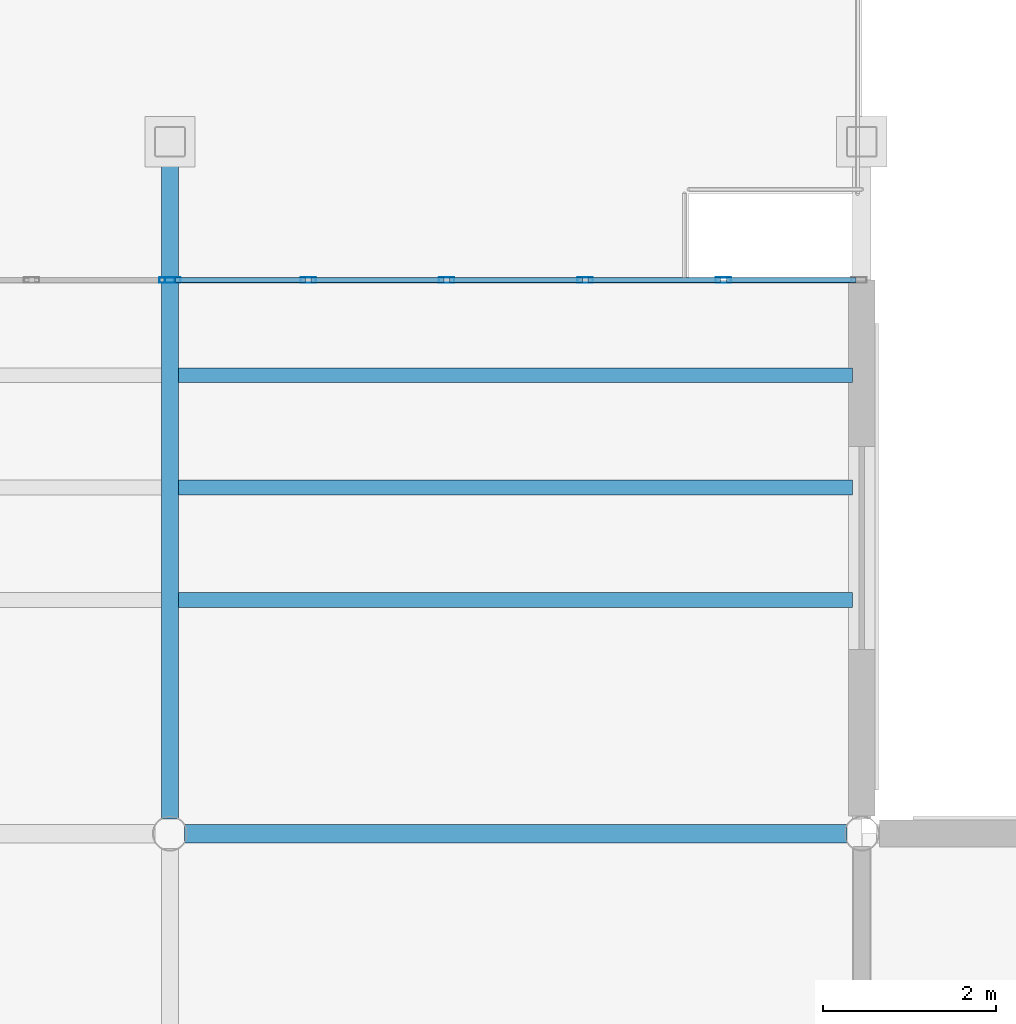
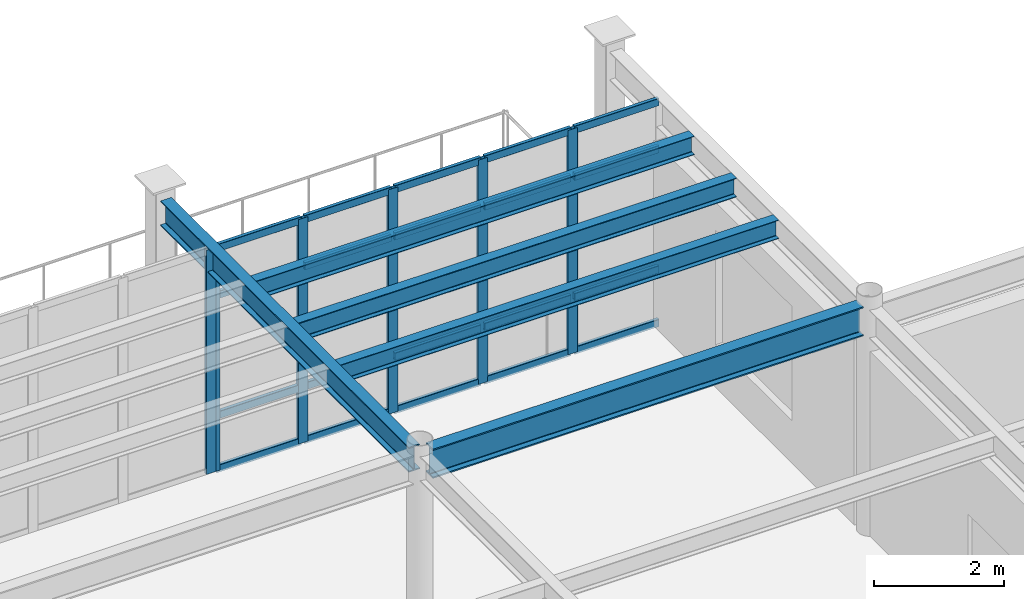
# One storey, part 33 of 111: 26 members, 5 beams, 2 elements without a shape of their own.
"""IFC4 building model written with IfcOpenShell, lengths in metres."""

from ifc_helpers import new_model, si_unit, direction, frame, origin, origin_2d, place, context, subcontext, project, spatial, hollow_rectangle, i_section, extrude, material, material_profile, profile_set, type_object, element, aggregate, save


model = new_model("IFC4")

# Units and contexts
model_context = context("Model", 3, precision=1e-05, world=origin(), true_north=direction((0.0, 1.0)))
body_context = subcontext(model_context, "Body", "Model", "MODEL_VIEW")
ifc_project = project(units=[si_unit("LENGTHUNIT", "METRE"), si_unit("AREAUNIT", "SQUARE_METRE"), si_unit("VOLUMEUNIT", "CUBIC_METRE"), si_unit("PLANEANGLEUNIT", "RADIAN"), si_unit("MASSUNIT", "GRAM", prefix="KILO")], contexts=[model_context])

# Site, building, storey
site_placement = place(None, origin())
site = spatial("IfcSite", under=ifc_project, at=site_placement, CompositionType="ELEMENT")
building_placement = place(site_placement, origin())
building = spatial("IfcBuilding", under=site, at=building_placement, Name="Solmirada Galleria", CompositionType="ELEMENT")
storey_placement = place(building_placement, frame((0.0, 0.0, 10.39990234375)))
storey = spatial("IfcBuildingStorey", under=building, at=storey_placement, Name="L02", CompositionType="ELEMENT", Elevation=10.39990234375)

# Beams
ifc_material_1 = material(Name="Steel S355 / ASTM A992 Grade 50", Category="steel")
ifc_material_profile_1 = material_profile(ifc_material_1, i_section(OverallWidth=0.194091796875, OverallDepth=0.468994140625, WebThickness=0.0126953125, FlangeThickness=0.0205078125, FilletRadius=0.013916015625, at=origin_2d()), Name="W18X71")
ifc_profile_set_1 = profile_set([ifc_material_profile_1], Name="Steel S355 / ASTM A992 Grade 50")
beam_type_1 = type_object("IfcBeamType", Name="BM-GIRD-W18B", PredefinedType="BEAM", material=ifc_profile_set_1)
beam_1_placement = place(storey_placement, frame((136.0, 32.17041015625, 4.025634765625), z_axis=(0.0, 1.0, 0.0), x_axis=(-1.0, 0.0, 0.0)))
element("IfcBeam", 1, at=beam_1_placement, inside=storey, type_object=beam_type_1, Name="Primary girder L03 Y(136, 32..40)", PredefinedType="BEAM", context=body_context, shape_type="SweptSolid", body=[
    extrude(i_section(OverallWidth=0.194091796875, OverallDepth=0.468994140625, WebThickness=0.0126953125, FlangeThickness=0.0205078125, FilletRadius=0.013916015625, at=origin_2d()), origin(), (0.0, 0.0, 1.0), 7.651611328125),
])
ifc_material_profile_2 = material_profile(ifc_material_1, i_section(OverallWidth=0.214111328125, OverallDepth=0.549072265625, WebThickness=0.0146484375, FlangeThickness=0.023681640625, FilletRadius=0.014892578125, at=origin_2d()), Name="W21X93")
ifc_profile_set_2 = profile_set([ifc_material_profile_2], Name="Steel S355 / ASTM A992 Grade 50")
beam_type_2 = type_object("IfcBeamType", Name="BM-GIRD-W21A", PredefinedType="BEAM", material=ifc_profile_set_2)
beam_2_placement = place(storey_placement, frame((136.17041015625, 32.0, 4.025634765625), z_axis=(1.0, 0.0, 0.0), x_axis=(0.0, 1.0, 0.0)))
element("IfcBeam", 2, at=beam_2_placement, inside=storey, type_object=beam_type_2, Name="Primary beam L03 X(136..144, 32)", PredefinedType="BEAM", context=body_context, shape_type="SweptSolid", body=[
    extrude(i_section(OverallWidth=0.214111328125, OverallDepth=0.549072265625, WebThickness=0.0146484375, FlangeThickness=0.023681640625, FilletRadius=0.014892578125, at=origin_2d()), origin(), (0.0, 0.0, 1.0), 7.6591796875),
])
ifc_material_profile_3 = material_profile(ifc_material_1, i_section(OverallWidth=0.172119140625, OverallDepth=0.35791015625, WebThickness=0.0078125, FlangeThickness=0.01318359375, FilletRadius=0.011962890625, at=origin_2d()), Name="W14X38")
ifc_profile_set_3 = profile_set([ifc_material_profile_3], Name="Steel S355 / ASTM A992 Grade 50")
beam_type_3 = type_object("IfcBeamType", Name="BM-JST-W14A", PredefinedType="JOIST", material=ifc_profile_set_3)
beam_3_placement = place(storey_placement, frame((136.096923828125, 36.0, 4.0810546875), z_axis=(1.0, 0.0, 0.0), x_axis=(0.0, 1.0, 0.0)))
element("IfcBeam", 3, at=beam_3_placement, inside=storey, type_object=beam_type_3, Name="Composite floor joist L03 (136..144, 36.0)", PredefinedType="JOIST", context=body_context, shape_type="SweptSolid", body=[
    extrude(i_section(OverallWidth=0.172119140625, OverallDepth=0.35791015625, WebThickness=0.0078125, FlangeThickness=0.01318359375, FilletRadius=0.011962890625, at=origin_2d()), origin(), (0.0, 0.0, 1.0), 7.798095703125),
])
ifc_material_profile_4 = material_profile(ifc_material_1, i_section(OverallWidth=0.1708984375, OverallDepth=0.35205078125, WebThickness=0.0068359375, FlangeThickness=0.009765625, FilletRadius=0.010986328125, at=origin_2d()), Name="W14X30")
ifc_profile_set_4 = profile_set([ifc_material_profile_4], Name="Steel S355 / ASTM A992 Grade 50")
beam_type_4 = type_object("IfcBeamType", Name="BM-JST-W14B", PredefinedType="JOIST", material=ifc_profile_set_4)
for number, where, z_axis, x_axis, name in (
    (4, (136.096923828125, 34.699951171875, 4.083984375), (1.0, 0.0, 0.0), (0.0, 1.0, 0.0), "Terrace deck joist L03-TERR-SE X=136..144 (1)"),
    (5, (136.096923828125, 37.300048828125, 4.083984375), (1.0, 0.0, 0.0), (0.0, 1.0, 0.0), "Terrace deck joist L03-TERR-SE X=136..144 (2)"),
):
    element("IfcBeam", number, at=place(storey_placement, frame(where, z_axis=z_axis, x_axis=x_axis)), inside=storey, type_object=beam_type_4, Name=name, PredefinedType="JOIST", context=body_context, shape_type="SweptSolid", body=[
        extrude(i_section(OverallWidth=0.1708984375, OverallDepth=0.35205078125, WebThickness=0.0068359375, FlangeThickness=0.009765625, FilletRadius=0.010986328125, at=origin_2d()), origin(), (0.0, 0.0, 1.0), 7.798095703125),
    ])

# Curtain wall, member
ifc_material_2 = material(Name="Impact-resistant low-E double glazing", Category="glass")
curtain_wall_type = type_object("IfcCurtainWallType", Name="CW-FZ5-L02-B5-L080", PredefinedType="NOTDEFINED", material=ifc_material_2)
curtain_wall_1_placement = place(storey_placement, origin())
curtain_wall_1 = element("IfcCurtainWall", 6, at=curtain_wall_1_placement, inside=storey, type_object=curtain_wall_type, Name="Terrace and arcade storefront CW-L02-114", PredefinedType="NOTDEFINED")
ifc_material_3 = material(Name="Anodised aluminium framing", Category="aluminium")
ifc_material_profile_5 = material_profile(ifc_material_3, hollow_rectangle(XDim=0.06494140625, YDim=0.179931640625, WallThickness=0.00390625, InnerFilletRadius=0.00390625, OuterFilletRadius=0.008056640625, at=origin_2d()), Name="ALU-MULL-180X65")
ifc_profile_set_5 = profile_set([ifc_material_profile_5], Name="Anodised aluminium framing")
member_type_1 = type_object("IfcMemberType", Name="CW-MULL-180", PredefinedType="MULLION", material=ifc_profile_set_5)
member_1_placement = place(storey_placement, frame((135.967529296875, 38.39990234375, 0.0), z_axis=(0.0, 0.0, 1.0), x_axis=(0.0, 1.0, 0.0)))
member_1 = element("IfcMember", 7, at=member_1_placement, type_object=member_type_1, Name="CW25 mullion 6", PredefinedType="MULLION", context=body_context, shape_type="SweptSolid", body=[
    extrude(hollow_rectangle(XDim=0.06494140625, YDim=0.179931640625, WallThickness=0.00390625, InnerFilletRadius=0.00390625, OuterFilletRadius=0.008056640625, at=origin_2d()), origin(), (0.0, 0.0, 1.0), 4.22021484375),
])
aggregate(curtain_wall_1, [member_1])

# Curtain wall, members
curtain_wall_2_placement = place(storey_placement, origin())
curtain_wall_2 = element("IfcCurtainWall", 8, at=curtain_wall_2_placement, inside=storey, type_object=curtain_wall_type, Name="Terrace and arcade storefront CW-L02-115", PredefinedType="NOTDEFINED")
member_2_placement = place(storey_placement, frame((136.032470703125, 38.39990234375, 0.0), z_axis=(0.0, 0.0, 1.0), x_axis=(0.0, 1.0, 0.0)))
member_2 = element("IfcMember", 9, at=member_2_placement, type_object=member_type_1, Name="CW25 mullion 1", PredefinedType="MULLION", context=body_context, shape_type="SweptSolid", body=[
    extrude(hollow_rectangle(XDim=0.06494140625, YDim=0.179931640625, WallThickness=0.00390625, InnerFilletRadius=0.00390625, OuterFilletRadius=0.008056640625, at=origin_2d()), origin(), (0.0, 0.0, 1.0), 4.22021484375),
])
member_3_placement = place(storey_placement, frame((137.60009765625, 38.39990234375, 0.0), z_axis=(0.0, 0.0, 1.0), x_axis=(0.0, 1.0, 0.0)))
member_3 = element("IfcMember", 10, at=member_3_placement, type_object=member_type_1, Name="CW25 mullion 2", PredefinedType="MULLION", context=body_context, shape_type="SweptSolid", body=[
    extrude(hollow_rectangle(XDim=0.06494140625, YDim=0.179931640625, WallThickness=0.00390625, InnerFilletRadius=0.00390625, OuterFilletRadius=0.008056640625, at=origin_2d()), origin(), (0.0, 0.0, 1.0), 4.22021484375),
])
member_4_placement = place(storey_placement, frame((139.199951171875, 38.39990234375, 0.0), z_axis=(0.0, 0.0, 1.0), x_axis=(0.0, 1.0, 0.0)))
member_4 = element("IfcMember", 11, at=member_4_placement, type_object=member_type_1, Name="CW25 mullion 3", PredefinedType="MULLION", context=body_context, shape_type="SweptSolid", body=[
    extrude(hollow_rectangle(XDim=0.06494140625, YDim=0.179931640625, WallThickness=0.00390625, InnerFilletRadius=0.00390625, OuterFilletRadius=0.008056640625, at=origin_2d()), origin(), (0.0, 0.0, 1.0), 4.22021484375),
])
member_5_placement = place(storey_placement, frame((140.800048828125, 38.39990234375, 0.0), z_axis=(0.0, 0.0, 1.0), x_axis=(0.0, 1.0, 0.0)))
member_5 = element("IfcMember", 12, at=member_5_placement, type_object=member_type_1, Name="CW25 mullion 4", PredefinedType="MULLION", context=body_context, shape_type="SweptSolid", body=[
    extrude(hollow_rectangle(XDim=0.06494140625, YDim=0.179931640625, WallThickness=0.00390625, InnerFilletRadius=0.00390625, OuterFilletRadius=0.008056640625, at=origin_2d()), origin(), (0.0, 0.0, 1.0), 4.22021484375),
])
member_6_placement = place(storey_placement, frame((142.39990234375, 38.39990234375, 0.0), z_axis=(0.0, 0.0, 1.0), x_axis=(0.0, 1.0, 0.0)))
member_6 = element("IfcMember", 13, at=member_6_placement, type_object=member_type_1, Name="CW25 mullion 5", PredefinedType="MULLION", context=body_context, shape_type="SweptSolid", body=[
    extrude(hollow_rectangle(XDim=0.06494140625, YDim=0.179931640625, WallThickness=0.00390625, InnerFilletRadius=0.00390625, OuterFilletRadius=0.008056640625, at=origin_2d()), origin(), (0.0, 0.0, 1.0), 4.22021484375),
])
ifc_material_profile_6 = material_profile(ifc_material_3, hollow_rectangle(XDim=0.06494140625, YDim=0.139892578125, WallThickness=0.00341796875, InnerFilletRadius=0.00341796875, OuterFilletRadius=0.007080078125, at=origin_2d()), Name="ALU-TRAN-140X65")
ifc_profile_set_6 = profile_set([ifc_material_profile_6], Name="Anodised aluminium framing")
member_type_2 = type_object("IfcMemberType", Name="CW-TRAN-140", PredefinedType="USERDEFINED", material=ifc_profile_set_6)
member_7_placement = place(storey_placement, frame((136.06494140625, 38.39990234375, 0.03271484375), z_axis=(1.0, 0.0, 0.0), x_axis=(0.0, 1.0, 0.0)))
member_7 = element("IfcMember", 14, at=member_7_placement, type_object=member_type_2, Name="CW25 transom 1.1", ObjectType="TRANSOM", PredefinedType="USERDEFINED", context=body_context, shape_type="SweptSolid", body=[
    extrude(hollow_rectangle(XDim=0.06494140625, YDim=0.139892578125, WallThickness=0.00341796875, InnerFilletRadius=0.00341796875, OuterFilletRadius=0.007080078125, at=origin_2d()), origin(), (0.0, 0.0, 1.0), 1.50244140625),
])
member_8_placement = place(storey_placement, frame((136.06494140625, 38.39990234375, 1.0400390625), z_axis=(1.0, 0.0, 0.0), x_axis=(0.0, 1.0, 0.0)))
member_8 = element("IfcMember", 15, at=member_8_placement, type_object=member_type_2, Name="CW25 transom 1.2", ObjectType="TRANSOM", PredefinedType="USERDEFINED", context=body_context, shape_type="SweptSolid", body=[
    extrude(hollow_rectangle(XDim=0.06494140625, YDim=0.139892578125, WallThickness=0.00341796875, InnerFilletRadius=0.00341796875, OuterFilletRadius=0.007080078125, at=origin_2d()), origin(), (0.0, 0.0, 1.0), 1.50244140625),
])
member_9_placement = place(storey_placement, frame((136.06494140625, 38.39990234375, 3.300048828125), z_axis=(1.0, 0.0, 0.0), x_axis=(0.0, 1.0, 0.0)))
member_9 = element("IfcMember", 16, at=member_9_placement, type_object=member_type_2, Name="CW25 transom 1.3", ObjectType="TRANSOM", PredefinedType="USERDEFINED", context=body_context, shape_type="SweptSolid", body=[
    extrude(hollow_rectangle(XDim=0.06494140625, YDim=0.139892578125, WallThickness=0.00341796875, InnerFilletRadius=0.00341796875, OuterFilletRadius=0.007080078125, at=origin_2d()), origin(), (0.0, 0.0, 1.0), 1.50244140625),
])
member_10_placement = place(storey_placement, frame((136.06494140625, 38.39990234375, 4.1875), z_axis=(1.0, 0.0, 0.0), x_axis=(0.0, 1.0, 0.0)))
member_10 = element("IfcMember", 17, at=member_10_placement, type_object=member_type_2, Name="CW25 transom 1.4", ObjectType="TRANSOM", PredefinedType="USERDEFINED", context=body_context, shape_type="SweptSolid", body=[
    extrude(hollow_rectangle(XDim=0.06494140625, YDim=0.139892578125, WallThickness=0.00341796875, InnerFilletRadius=0.00341796875, OuterFilletRadius=0.007080078125, at=origin_2d()), origin(), (0.0, 0.0, 1.0), 1.50244140625),
])
member_11_placement = place(storey_placement, frame((137.632568359375, 38.39990234375, 0.03271484375), z_axis=(1.0, 0.0, 0.0), x_axis=(0.0, 1.0, 0.0)))
member_11 = element("IfcMember", 18, at=member_11_placement, type_object=member_type_2, Name="CW25 transom 2.1", ObjectType="TRANSOM", PredefinedType="USERDEFINED", context=body_context, shape_type="SweptSolid", body=[
    extrude(hollow_rectangle(XDim=0.06494140625, YDim=0.139892578125, WallThickness=0.00341796875, InnerFilletRadius=0.00341796875, OuterFilletRadius=0.007080078125, at=origin_2d()), origin(), (0.0, 0.0, 1.0), 1.534912109375),
])
member_12_placement = place(storey_placement, frame((137.632568359375, 38.39990234375, 1.0400390625), z_axis=(1.0, 0.0, 0.0), x_axis=(0.0, 1.0, 0.0)))
member_12 = element("IfcMember", 19, at=member_12_placement, type_object=member_type_2, Name="CW25 transom 2.2", ObjectType="TRANSOM", PredefinedType="USERDEFINED", context=body_context, shape_type="SweptSolid", body=[
    extrude(hollow_rectangle(XDim=0.06494140625, YDim=0.139892578125, WallThickness=0.00341796875, InnerFilletRadius=0.00341796875, OuterFilletRadius=0.007080078125, at=origin_2d()), origin(), (0.0, 0.0, 1.0), 1.534912109375),
])
member_13_placement = place(storey_placement, frame((137.632568359375, 38.39990234375, 3.300048828125), z_axis=(1.0, 0.0, 0.0), x_axis=(0.0, 1.0, 0.0)))
member_13 = element("IfcMember", 20, at=member_13_placement, type_object=member_type_2, Name="CW25 transom 2.3", ObjectType="TRANSOM", PredefinedType="USERDEFINED", context=body_context, shape_type="SweptSolid", body=[
    extrude(hollow_rectangle(XDim=0.06494140625, YDim=0.139892578125, WallThickness=0.00341796875, InnerFilletRadius=0.00341796875, OuterFilletRadius=0.007080078125, at=origin_2d()), origin(), (0.0, 0.0, 1.0), 1.534912109375),
])
member_14_placement = place(storey_placement, frame((137.632568359375, 38.39990234375, 4.1875), z_axis=(1.0, 0.0, 0.0), x_axis=(0.0, 1.0, 0.0)))
member_14 = element("IfcMember", 21, at=member_14_placement, type_object=member_type_2, Name="CW25 transom 2.4", ObjectType="TRANSOM", PredefinedType="USERDEFINED", context=body_context, shape_type="SweptSolid", body=[
    extrude(hollow_rectangle(XDim=0.06494140625, YDim=0.139892578125, WallThickness=0.00341796875, InnerFilletRadius=0.00341796875, OuterFilletRadius=0.007080078125, at=origin_2d()), origin(), (0.0, 0.0, 1.0), 1.534912109375),
])
member_15_placement = place(storey_placement, frame((139.232421875, 38.39990234375, 0.03271484375), z_axis=(1.0, 0.0, 0.0), x_axis=(0.0, 1.0, 0.0)))
member_15 = element("IfcMember", 22, at=member_15_placement, type_object=member_type_2, Name="CW25 transom 3.1", ObjectType="TRANSOM", PredefinedType="USERDEFINED", context=body_context, shape_type="SweptSolid", body=[
    extrude(hollow_rectangle(XDim=0.06494140625, YDim=0.139892578125, WallThickness=0.00341796875, InnerFilletRadius=0.00341796875, OuterFilletRadius=0.007080078125, at=origin_2d()), origin(), (0.0, 0.0, 1.0), 1.53515625),
])
member_16_placement = place(storey_placement, frame((139.232421875, 38.39990234375, 1.0400390625), z_axis=(1.0, 0.0, 0.0), x_axis=(0.0, 1.0, 0.0)))
member_16 = element("IfcMember", 23, at=member_16_placement, type_object=member_type_2, Name="CW25 transom 3.2", ObjectType="TRANSOM", PredefinedType="USERDEFINED", context=body_context, shape_type="SweptSolid", body=[
    extrude(hollow_rectangle(XDim=0.06494140625, YDim=0.139892578125, WallThickness=0.00341796875, InnerFilletRadius=0.00341796875, OuterFilletRadius=0.007080078125, at=origin_2d()), origin(), (0.0, 0.0, 1.0), 1.53515625),
])
member_17_placement = place(storey_placement, frame((139.232421875, 38.39990234375, 3.300048828125), z_axis=(1.0, 0.0, 0.0), x_axis=(0.0, 1.0, 0.0)))
member_17 = element("IfcMember", 24, at=member_17_placement, type_object=member_type_2, Name="CW25 transom 3.3", ObjectType="TRANSOM", PredefinedType="USERDEFINED", context=body_context, shape_type="SweptSolid", body=[
    extrude(hollow_rectangle(XDim=0.06494140625, YDim=0.139892578125, WallThickness=0.00341796875, InnerFilletRadius=0.00341796875, OuterFilletRadius=0.007080078125, at=origin_2d()), origin(), (0.0, 0.0, 1.0), 1.53515625),
])
member_18_placement = place(storey_placement, frame((139.232421875, 38.39990234375, 4.1875), z_axis=(1.0, 0.0, 0.0), x_axis=(0.0, 1.0, 0.0)))
member_18 = element("IfcMember", 25, at=member_18_placement, type_object=member_type_2, Name="CW25 transom 3.4", ObjectType="TRANSOM", PredefinedType="USERDEFINED", context=body_context, shape_type="SweptSolid", body=[
    extrude(hollow_rectangle(XDim=0.06494140625, YDim=0.139892578125, WallThickness=0.00341796875, InnerFilletRadius=0.00341796875, OuterFilletRadius=0.007080078125, at=origin_2d()), origin(), (0.0, 0.0, 1.0), 1.53515625),
])
member_19_placement = place(storey_placement, frame((140.83251953125, 38.39990234375, 0.03271484375), z_axis=(1.0, 0.0, 0.0), x_axis=(0.0, 1.0, 0.0)))
member_19 = element("IfcMember", 26, at=member_19_placement, type_object=member_type_2, Name="CW25 transom 4.1", ObjectType="TRANSOM", PredefinedType="USERDEFINED", context=body_context, shape_type="SweptSolid", body=[
    extrude(hollow_rectangle(XDim=0.06494140625, YDim=0.139892578125, WallThickness=0.00341796875, InnerFilletRadius=0.00341796875, OuterFilletRadius=0.007080078125, at=origin_2d()), origin(), (0.0, 0.0, 1.0), 1.534912109375),
])
member_20_placement = place(storey_placement, frame((140.83251953125, 38.39990234375, 1.0400390625), z_axis=(1.0, 0.0, 0.0), x_axis=(0.0, 1.0, 0.0)))
member_20 = element("IfcMember", 27, at=member_20_placement, type_object=member_type_2, Name="CW25 transom 4.2", ObjectType="TRANSOM", PredefinedType="USERDEFINED", context=body_context, shape_type="SweptSolid", body=[
    extrude(hollow_rectangle(XDim=0.06494140625, YDim=0.139892578125, WallThickness=0.00341796875, InnerFilletRadius=0.00341796875, OuterFilletRadius=0.007080078125, at=origin_2d()), origin(), (0.0, 0.0, 1.0), 1.534912109375),
])
member_21_placement = place(storey_placement, frame((140.83251953125, 38.39990234375, 3.300048828125), z_axis=(1.0, 0.0, 0.0), x_axis=(0.0, 1.0, 0.0)))
member_21 = element("IfcMember", 28, at=member_21_placement, type_object=member_type_2, Name="CW25 transom 4.3", ObjectType="TRANSOM", PredefinedType="USERDEFINED", context=body_context, shape_type="SweptSolid", body=[
    extrude(hollow_rectangle(XDim=0.06494140625, YDim=0.139892578125, WallThickness=0.00341796875, InnerFilletRadius=0.00341796875, OuterFilletRadius=0.007080078125, at=origin_2d()), origin(), (0.0, 0.0, 1.0), 1.534912109375),
])
member_22_placement = place(storey_placement, frame((140.83251953125, 38.39990234375, 4.1875), z_axis=(1.0, 0.0, 0.0), x_axis=(0.0, 1.0, 0.0)))
member_22 = element("IfcMember", 29, at=member_22_placement, type_object=member_type_2, Name="CW25 transom 4.4", ObjectType="TRANSOM", PredefinedType="USERDEFINED", context=body_context, shape_type="SweptSolid", body=[
    extrude(hollow_rectangle(XDim=0.06494140625, YDim=0.139892578125, WallThickness=0.00341796875, InnerFilletRadius=0.00341796875, OuterFilletRadius=0.007080078125, at=origin_2d()), origin(), (0.0, 0.0, 1.0), 1.534912109375),
])
member_23_placement = place(storey_placement, frame((142.4326171875, 38.39990234375, 0.03271484375), z_axis=(1.0, 0.0, 0.0), x_axis=(0.0, 1.0, 0.0)))
member_23 = element("IfcMember", 30, at=member_23_placement, type_object=member_type_2, Name="CW25 transom 5.1", ObjectType="TRANSOM", PredefinedType="USERDEFINED", context=body_context, shape_type="SweptSolid", body=[
    extrude(hollow_rectangle(XDim=0.06494140625, YDim=0.139892578125, WallThickness=0.00341796875, InnerFilletRadius=0.00341796875, OuterFilletRadius=0.007080078125, at=origin_2d()), origin(), (0.0, 0.0, 1.0), 1.50244140625),
])
member_24_placement = place(storey_placement, frame((142.4326171875, 38.39990234375, 1.0400390625), z_axis=(1.0, 0.0, 0.0), x_axis=(0.0, 1.0, 0.0)))
member_24 = element("IfcMember", 31, at=member_24_placement, type_object=member_type_2, Name="CW25 transom 5.2", ObjectType="TRANSOM", PredefinedType="USERDEFINED", context=body_context, shape_type="SweptSolid", body=[
    extrude(hollow_rectangle(XDim=0.06494140625, YDim=0.139892578125, WallThickness=0.00341796875, InnerFilletRadius=0.00341796875, OuterFilletRadius=0.007080078125, at=origin_2d()), origin(), (0.0, 0.0, 1.0), 1.50244140625),
])
member_25_placement = place(storey_placement, frame((142.4326171875, 38.39990234375, 3.300048828125), z_axis=(1.0, 0.0, 0.0), x_axis=(0.0, 1.0, 0.0)))
member_25 = element("IfcMember", 32, at=member_25_placement, type_object=member_type_2, Name="CW25 transom 5.3", ObjectType="TRANSOM", PredefinedType="USERDEFINED", context=body_context, shape_type="SweptSolid", body=[
    extrude(hollow_rectangle(XDim=0.06494140625, YDim=0.139892578125, WallThickness=0.00341796875, InnerFilletRadius=0.00341796875, OuterFilletRadius=0.007080078125, at=origin_2d()), origin(), (0.0, 0.0, 1.0), 1.50244140625),
])
member_26_placement = place(storey_placement, frame((142.4326171875, 38.39990234375, 4.1875), z_axis=(1.0, 0.0, 0.0), x_axis=(0.0, 1.0, 0.0)))
member_26 = element("IfcMember", 33, at=member_26_placement, type_object=member_type_2, Name="CW25 transom 5.4", ObjectType="TRANSOM", PredefinedType="USERDEFINED", context=body_context, shape_type="SweptSolid", body=[
    extrude(hollow_rectangle(XDim=0.06494140625, YDim=0.139892578125, WallThickness=0.00341796875, InnerFilletRadius=0.00341796875, OuterFilletRadius=0.007080078125, at=origin_2d()), origin(), (0.0, 0.0, 1.0), 1.50244140625),
])
aggregate(curtain_wall_2, [member_2, member_3, member_4, member_5, member_6, member_7, member_8, member_9, member_10, member_11, member_12, member_13, member_14, member_15, member_16, member_17, member_18, member_19, member_20, member_21, member_22, member_23, member_24, member_25, member_26])

save(model, "model.ifc")
